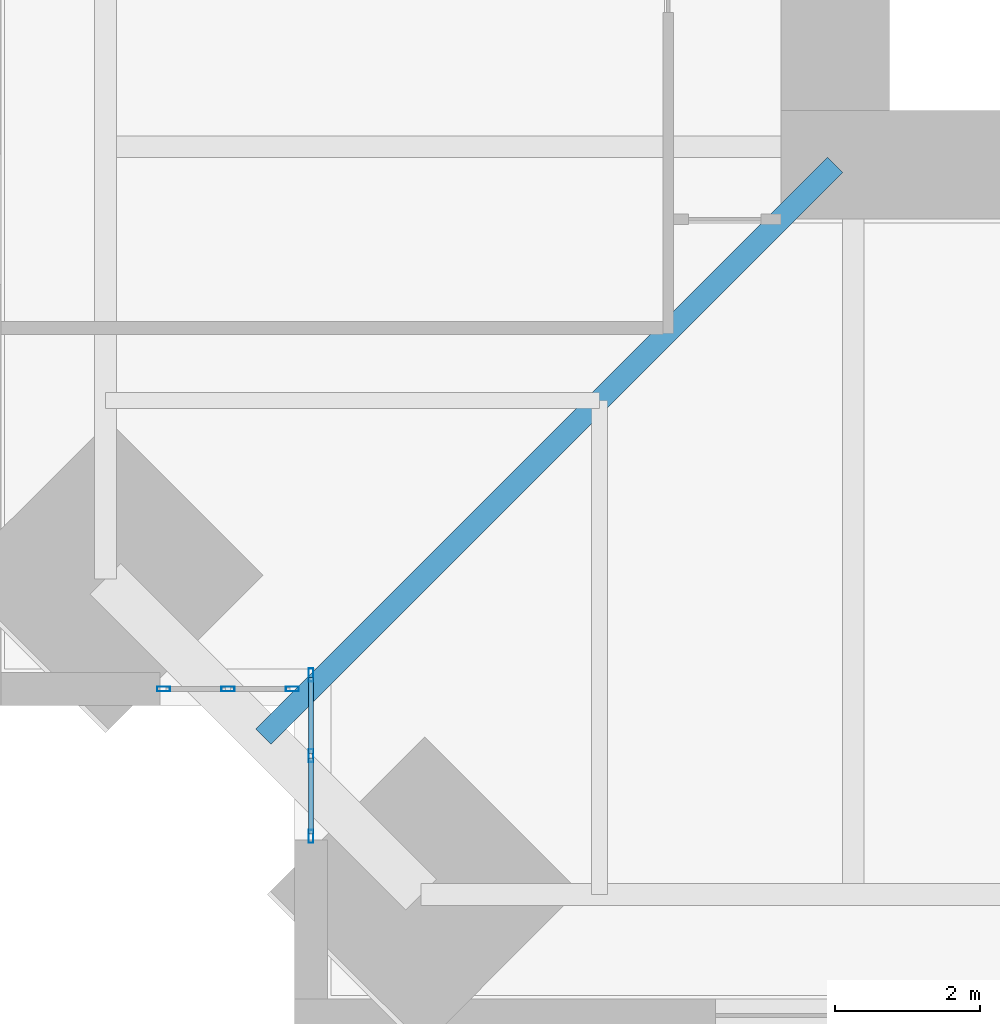
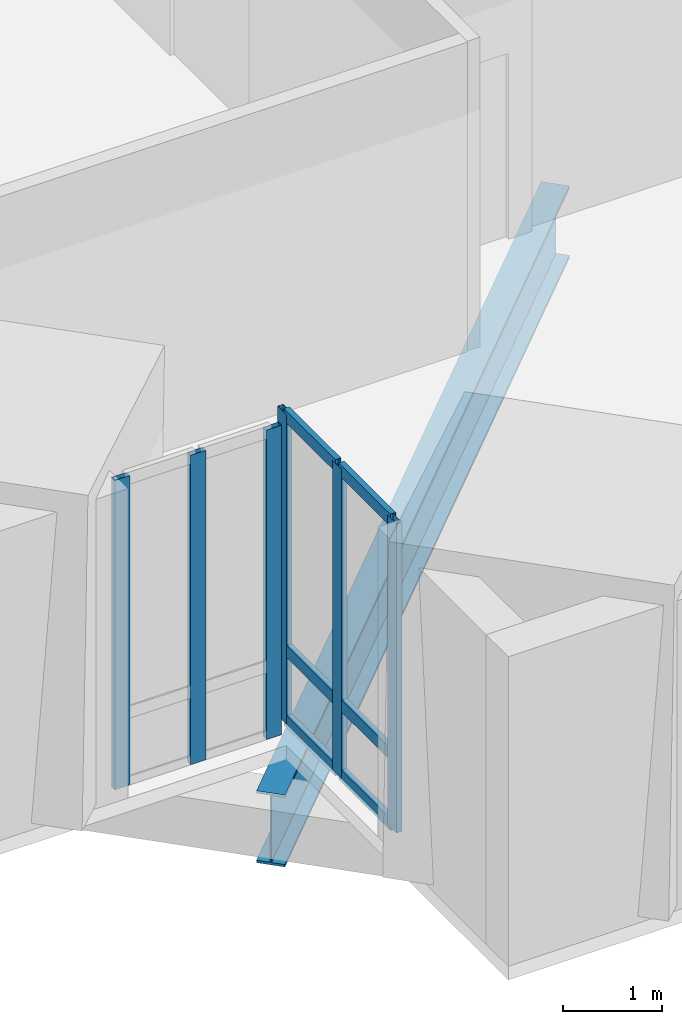
# One storey, part 2 of 15: 12 members, 1 beam, 2 elements without a shape of their own.
"""IFC4 building model written with IfcOpenShell, lengths in metres."""

from ifc_helpers import new_model, si_unit, direction, frame, origin, origin_2d, place, context, subcontext, project, spatial, hollow_rectangle, i_section, extrude, material, material_profile, profile_set, type_object, element, aggregate, save


model = new_model("IFC4")

# Units and contexts
model_context = context("Model", 3, precision=1e-05, world=origin(), true_north=direction((0.0, 1.0)))
body_context = subcontext(model_context, "Body", "Model", "MODEL_VIEW")
ifc_project = project(units=[si_unit("LENGTHUNIT", "METRE"), si_unit("AREAUNIT", "SQUARE_METRE"), si_unit("VOLUMEUNIT", "CUBIC_METRE"), si_unit("PLANEANGLEUNIT", "RADIAN"), si_unit("MASSUNIT", "GRAM", prefix="KILO")], contexts=[model_context])

# Site, building, storey
site_placement = place(None, origin())
site = spatial("IfcSite", under=ifc_project, at=site_placement, CompositionType="ELEMENT")
building_placement = place(site_placement, origin())
building = spatial("IfcBuilding", under=site, at=building_placement, Name="Peilmerk Tower", CompositionType="ELEMENT")
storey_placement = place(building_placement, frame((0.0, 0.0, 237.800048828125)))
storey = spatial("IfcBuildingStorey", under=building, at=storey_placement, Name="L52", CompositionType="ELEMENT", Elevation=237.800048828125)

# Beam
ifc_material_1 = material(Name="Steel S355", Category="steel")
ifc_material_profile_1 = material_profile(ifc_material_1, i_section(OverallWidth=0.300048828125, OverallDepth=0.889892578125, WebThickness=0.01611328125, FlangeThickness=0.030029296875, at=origin_2d()), Name="HEA 900")
ifc_profile_set_1 = profile_set([ifc_material_profile_1], Name="Steel S355")
beam_type = type_object("IfcBeamType", Name="B4 HEA 900 floor beam", PredefinedType="BEAM", material=ifc_profile_set_1)
beam_placement = place(storey_placement, frame((-11.25, -11.25, -0.614990234375), z_axis=(-0.707106781187, -0.707106781187, 0.0), x_axis=(0.707106781187, -0.707106781187, 0.0)))
element("IfcBeam", 1, at=beam_placement, inside=storey, type_object=beam_type, Name="Corner girder L52", PredefinedType="BEAM", context=body_context, shape_type="SweptSolid", body=[
    extrude(i_section(OverallWidth=0.300048828125, OverallDepth=0.889892578125, WebThickness=0.01611328125, FlangeThickness=0.030029296875, at=origin_2d()), origin(), (0.0, 0.0, 1.0), 11.1484375),
])

# Curtain wall, members
ifc_material_2 = material(Name="Aluminium stick curtain wall", Category="aluminium")
curtain_wall_type = type_object("IfcCurtainWallType", Name="CW4 stick curtain wall, 2250 module", PredefinedType="NOTDEFINED", material=ifc_material_2)
curtain_wall_1_placement = place(storey_placement, origin())
curtain_wall_1 = element("IfcCurtainWall", 2, at=curtain_wall_1_placement, inside=storey, type_object=curtain_wall_type, Name="Curtain wall CW4 SWA L52", PredefinedType="NOTDEFINED")
ifc_material_3 = material(Name="Aluminium EN AW-6063 T6", Category="aluminium")
ifc_material_profile_2 = material_profile(ifc_material_3, hollow_rectangle(XDim=0.06494140625, YDim=0.179931640625, WallThickness=0.0029296875, at=origin_2d()), Name="AL 180x65x3")
ifc_profile_set_2 = profile_set([ifc_material_profile_2], Name="Aluminium EN AW-6063 T6")
member_type_1 = type_object("IfcMemberType", Name="CW4-M AL 180x65x3 mullion", PredefinedType="MULLION", material=ifc_profile_set_2)
member_1_placement = place(storey_placement, frame((-18.47509765625, -18.282470703125, 0.0), z_axis=(0.0, 0.0, 1.0), x_axis=(1.0, 0.0, 0.0)))
member_1 = element("IfcMember", 3, at=member_1_placement, type_object=member_type_1, Name="CW4 mullion 1", PredefinedType="MULLION", context=body_context, shape_type="SweptSolid", body=[
    extrude(hollow_rectangle(XDim=0.06494140625, YDim=0.179931640625, WallThickness=0.0029296875, at=origin_2d()), origin(), (0.0, 0.0, 1.0), 3.829833984375),
])
member_2_placement = place(storey_placement, frame((-18.47509765625, -19.394287109375, 0.0), z_axis=(0.0, 0.0, 1.0), x_axis=(1.0, 0.0, 0.0)))
member_2 = element("IfcMember", 4, at=member_2_placement, type_object=member_type_1, Name="CW4 mullion 2", PredefinedType="MULLION", context=body_context, shape_type="SweptSolid", body=[
    extrude(hollow_rectangle(XDim=0.06494140625, YDim=0.179931640625, WallThickness=0.0029296875, at=origin_2d()), origin(), (0.0, 0.0, 1.0), 3.829833984375),
])
member_3_placement = place(storey_placement, frame((-18.47509765625, -20.506103515625, 0.0), z_axis=(0.0, 0.0, 1.0), x_axis=(1.0, 0.0, 0.0)))
member_3 = element("IfcMember", 5, at=member_3_placement, type_object=member_type_1, Name="CW4 mullion 3", PredefinedType="MULLION", context=body_context, shape_type="SweptSolid", body=[
    extrude(hollow_rectangle(XDim=0.06494140625, YDim=0.179931640625, WallThickness=0.0029296875, at=origin_2d()), origin(), (0.0, 0.0, 1.0), 3.829833984375),
])

curtain_wall_2_placement = place(storey_placement, origin())
curtain_wall_2 = element("IfcCurtainWall", 6, at=curtain_wall_2_placement, inside=storey, type_object=curtain_wall_type, Name="Curtain wall CW4 SWB L52", PredefinedType="NOTDEFINED")
member_4_placement = place(storey_placement, frame((-18.732421875, -18.47509765625, 0.0), z_axis=(0.0, 0.0, 1.0), x_axis=(0.0, -1.0, 0.0)))
member_4 = element("IfcMember", 7, at=member_4_placement, type_object=member_type_1, Name="CW4 mullion 1", PredefinedType="MULLION", context=body_context, shape_type="SweptSolid", body=[
    extrude(hollow_rectangle(XDim=0.06494140625, YDim=0.179931640625, WallThickness=0.0029296875, at=origin_2d()), origin(), (0.0, 0.0, 1.0), 3.829833984375),
])
member_5_placement = place(storey_placement, frame((-19.619384765625, -18.47509765625, 0.0), z_axis=(0.0, 0.0, 1.0), x_axis=(0.0, -1.0, 0.0)))
member_5 = element("IfcMember", 8, at=member_5_placement, type_object=member_type_1, Name="CW4 mullion 2", PredefinedType="MULLION", context=body_context, shape_type="SweptSolid", body=[
    extrude(hollow_rectangle(XDim=0.06494140625, YDim=0.179931640625, WallThickness=0.0029296875, at=origin_2d()), origin(), (0.0, 0.0, 1.0), 3.829833984375),
])
member_6_placement = place(storey_placement, frame((-20.506103515625, -18.47509765625, 0.0), z_axis=(0.0, 0.0, 1.0), x_axis=(0.0, -1.0, 0.0)))
member_6 = element("IfcMember", 9, at=member_6_placement, type_object=member_type_1, Name="CW4 mullion 3", PredefinedType="MULLION", context=body_context, shape_type="SweptSolid", body=[
    extrude(hollow_rectangle(XDim=0.06494140625, YDim=0.179931640625, WallThickness=0.0029296875, at=origin_2d()), origin(), (0.0, 0.0, 1.0), 3.829833984375),
])
aggregate(curtain_wall_2, [member_4, member_5, member_6])

# Member
ifc_material_profile_3 = material_profile(ifc_material_3, hollow_rectangle(XDim=0.06494140625, YDim=0.14990234375, WallThickness=0.0029296875, at=origin_2d()), Name="AL 150x65x3")
ifc_profile_set_3 = profile_set([ifc_material_profile_3], Name="Aluminium EN AW-6063 T6")
member_type_2 = type_object("IfcMemberType", Name="CW4-T AL 150x65x3 transom", PredefinedType="USERDEFINED", material=ifc_profile_set_3)
member_7_placement = place(storey_placement, frame((-18.47509765625, -18.31494140625, 0.032470703125), z_axis=(0.0, -1.0, 0.0), x_axis=(1.0, 0.0, 0.0)))
member_7 = element("IfcMember", 10, at=member_7_placement, type_object=member_type_2, Name="CW4 transom 1.1", ObjectType="TRANSOM", PredefinedType="USERDEFINED", context=body_context, shape_type="SweptSolid", body=[
    extrude(hollow_rectangle(XDim=0.06494140625, YDim=0.14990234375, WallThickness=0.0029296875, at=origin_2d()), origin(), (0.0, 0.0, 1.0), 1.046875),
])

member_8_placement = place(storey_placement, frame((-18.47509765625, -18.31494140625, 0.89990234375), z_axis=(0.0, -1.0, 0.0), x_axis=(1.0, 0.0, 0.0)))
member_8 = element("IfcMember", 11, at=member_8_placement, type_object=member_type_2, Name="CW4 transom 1.2", ObjectType="TRANSOM", PredefinedType="USERDEFINED", context=body_context, shape_type="SweptSolid", body=[
    extrude(hollow_rectangle(XDim=0.06494140625, YDim=0.14990234375, WallThickness=0.0029296875, at=origin_2d()), origin(), (0.0, 0.0, 1.0), 1.046875),
])

member_9_placement = place(storey_placement, frame((-18.47509765625, -18.31494140625, 3.79736328125), z_axis=(0.0, -1.0, 0.0), x_axis=(1.0, 0.0, 0.0)))
member_9 = element("IfcMember", 12, at=member_9_placement, type_object=member_type_2, Name="CW4 transom 1.3", ObjectType="TRANSOM", PredefinedType="USERDEFINED", context=body_context, shape_type="SweptSolid", body=[
    extrude(hollow_rectangle(XDim=0.06494140625, YDim=0.14990234375, WallThickness=0.0029296875, at=origin_2d()), origin(), (0.0, 0.0, 1.0), 1.046875),
])

member_10_placement = place(storey_placement, frame((-18.47509765625, -19.4267578125, 0.032470703125), z_axis=(0.0, -1.0, 0.0), x_axis=(1.0, 0.0, 0.0)))
member_10 = element("IfcMember", 13, at=member_10_placement, type_object=member_type_2, Name="CW4 transom 2.1", ObjectType="TRANSOM", PredefinedType="USERDEFINED", context=body_context, shape_type="SweptSolid", body=[
    extrude(hollow_rectangle(XDim=0.06494140625, YDim=0.14990234375, WallThickness=0.0029296875, at=origin_2d()), origin(), (0.0, 0.0, 1.0), 1.046875),
])

member_11_placement = place(storey_placement, frame((-18.47509765625, -19.4267578125, 0.89990234375), z_axis=(0.0, -1.0, 0.0), x_axis=(1.0, 0.0, 0.0)))
member_11 = element("IfcMember", 14, at=member_11_placement, type_object=member_type_2, Name="CW4 transom 2.2", ObjectType="TRANSOM", PredefinedType="USERDEFINED", context=body_context, shape_type="SweptSolid", body=[
    extrude(hollow_rectangle(XDim=0.06494140625, YDim=0.14990234375, WallThickness=0.0029296875, at=origin_2d()), origin(), (0.0, 0.0, 1.0), 1.046875),
])

member_12_placement = place(storey_placement, frame((-18.47509765625, -19.4267578125, 3.79736328125), z_axis=(0.0, -1.0, 0.0), x_axis=(1.0, 0.0, 0.0)))
member_12 = element("IfcMember", 15, at=member_12_placement, type_object=member_type_2, Name="CW4 transom 2.3", ObjectType="TRANSOM", PredefinedType="USERDEFINED", context=body_context, shape_type="SweptSolid", body=[
    extrude(hollow_rectangle(XDim=0.06494140625, YDim=0.14990234375, WallThickness=0.0029296875, at=origin_2d()), origin(), (0.0, 0.0, 1.0), 1.046875),
])

aggregate(curtain_wall_1, [member_1, member_2, member_3, member_7, member_8, member_9, member_10, member_11, member_12])

save(model, "model.ifc")
